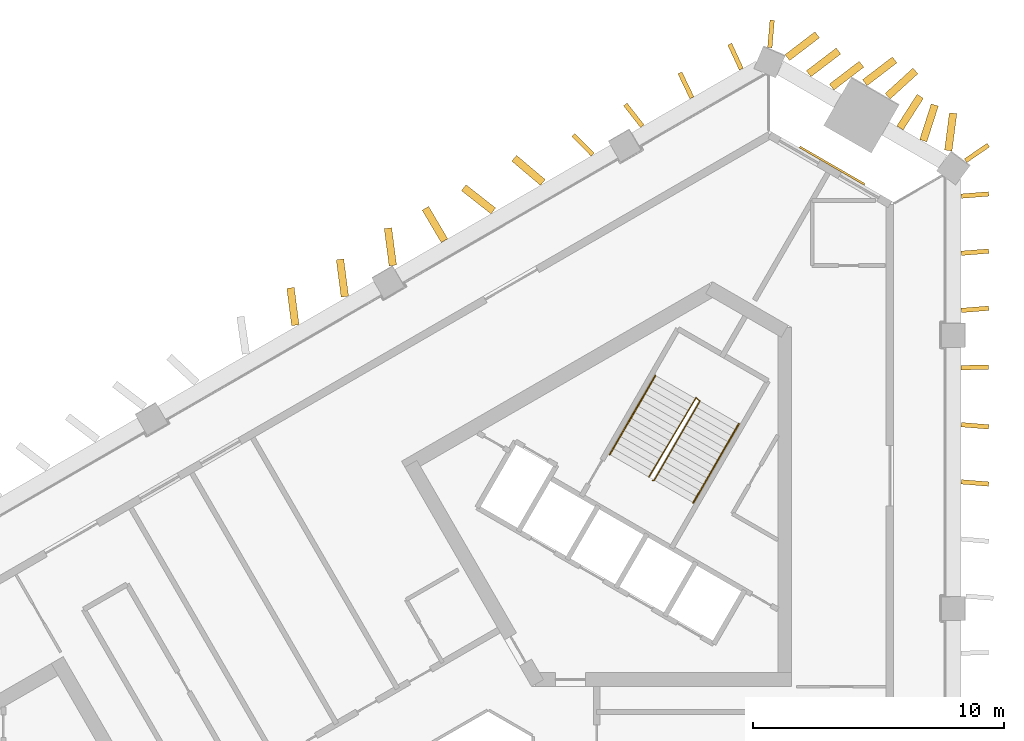
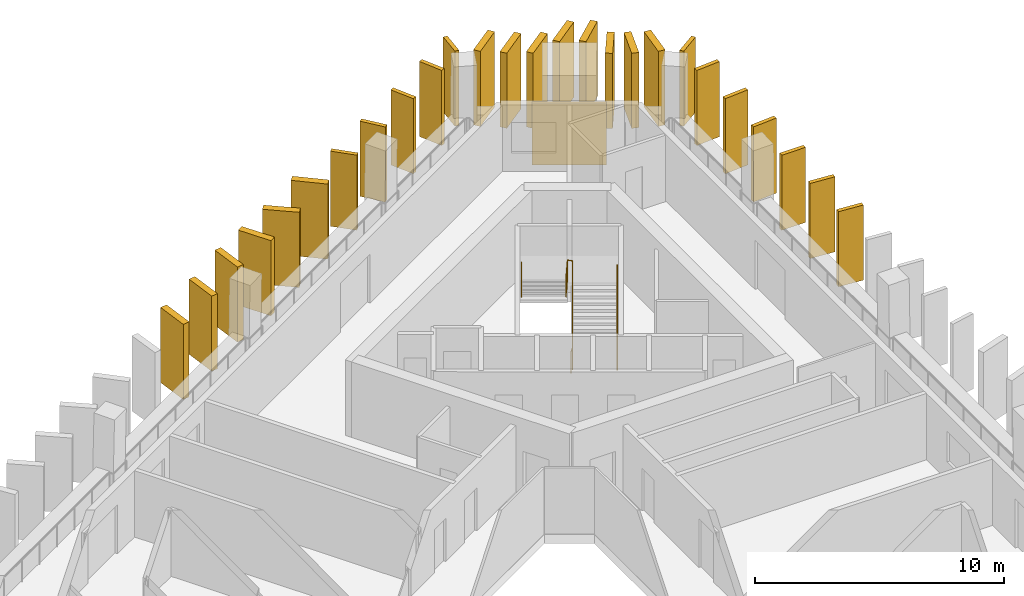
# One storey, part 10 of 10: 26 shading devices, 3 railings, 1 covering.
"""IFC4 building model written with IfcOpenShell, lengths in metres."""

from ifc_helpers import new_model, si_unit, direction, frame, frame_2d, origin, origin_2d, place, context, subcontext, project, spatial, rectangle, circle, extrude, material, layer, layer_set, type_object, element, save


model = new_model("IFC4")

# Units and contexts
model_context = context("Model", 3, precision=1e-05, world=origin(), true_north=direction((0.0, 1.0)))
body_context = subcontext(model_context, "Body", "Model", "MODEL_VIEW")
ifc_project = project(units=[si_unit("LENGTHUNIT", "METRE"), si_unit("AREAUNIT", "SQUARE_METRE"), si_unit("VOLUMEUNIT", "CUBIC_METRE"), si_unit("PLANEANGLEUNIT", "RADIAN"), si_unit("MASSUNIT", "GRAM", prefix="KILO")], contexts=[model_context])

# Site, building, storey
site_placement = place(None, origin())
site = spatial("IfcSite", under=ifc_project, at=site_placement, CompositionType="ELEMENT")
building_placement = place(site_placement, origin())
building = spatial("IfcBuilding", under=site, at=building_placement, Name="Jabali Bay Hotel Tower and Convention Centre", CompositionType="ELEMENT")
storey_placement = place(building_placement, frame((0.0, 0.0, 163.699951171875)))
storey = spatial("IfcBuildingStorey", under=building, at=storey_placement, Name="L39", CompositionType="ELEMENT", Elevation=163.699951171875)

# Shading devices
ifc_material_1 = material(Name="Precast concrete C60", Category="concrete")
ifc_layer_1 = layer(ifc_material_1, 0.179931640625)
ifc_layer_set_1 = layer_set([ifc_layer_1], Name="Precast concrete C60")
shading_device_type_1 = type_object("IfcShadingDeviceType", Name="Precast fin 3680 x 1100", PredefinedType="USERDEFINED", material=ifc_layer_set_1)
shading_device_1_placement = place(storey_placement, frame((96.650390625, 95.962646484375, 0.010009765625), z_axis=(0.0, 0.0, 1.0), x_axis=(0.996641506846, -0.081888380322, 0.0)))
element("IfcShadingDevice", 1, at=shading_device_1_placement, inside=storey, type_object=shading_device_type_1, Name="Fin L39 019", ObjectType="FIN", PredefinedType="USERDEFINED", context=body_context, shape_type="SweptSolid", body=[
    extrude(rectangle(XDim=1.10009765625, YDim=0.179931640625, at=frame_2d((0.550048828125, 0.0))), origin(), (0.0, 0.0, 1.0), 3.679931640625),
])
for number, where, z_axis, x_axis, name in (
    (2, (96.650390625, 98.242919921875, 0.010009765625), (0.0, 0.0, 1.0), (0.99678486003, -0.08012454564, 0.0), "Fin L39 020"),
    (3, (96.643798828125, 100.523193359375, 0.010009765625), (0.0, 0.0, 1.0), (0.999983346088, 0.005771269034, 0.0), "Fin L39 021"),
    (4, (96.650390625, 102.8037109375, 0.010009765625), (0.0, 0.0, 1.0), (0.996855381072, 0.079242344922, 0.0), "Fin L39 022"),
    (5, (96.650390625, 105.083984375, 0.010009765625), (0.0, 0.0, 1.0), (0.996855381072, 0.079242344922, 0.0), "Fin L39 023"),
    (6, (96.650390625, 107.3642578125, 0.010009765625), (0.0, 0.0, 1.0), (0.996837823076, 0.079462912639, 0.0), "Fin L39 024"),
):
    element("IfcShadingDevice", number, at=place(storey_placement, frame(where, z_axis=z_axis, x_axis=x_axis)), inside=storey, type_object=shading_device_type_1, Name=name, ObjectType="FIN", PredefinedType="USERDEFINED", context=body_context, shape_type="SweptSolid", body=[
        extrude(rectangle(XDim=1.099853515625, YDim=0.179931640625, at=frame_2d((0.5498046875, 0.0))), origin(), (0.0, 0.0, 1.0), 3.679931640625),
    ])
shading_device_2_placement = place(storey_placement, frame((87.87255859375, 112.4326171875, 0.010009765625), z_axis=(0.0, 0.0, 1.0), x_axis=(-0.421013493597, 0.90705437445, 0.0)))
element("IfcShadingDevice", 7, at=shading_device_2_placement, inside=storey, type_object=shading_device_type_1, Name="Fin L39 033", ObjectType="FIN", PredefinedType="USERDEFINED", context=body_context, shape_type="SweptSolid", body=[
    extrude(rectangle(XDim=1.10009765625, YDim=0.179931640625, at=frame_2d((0.550048828125, 0.0))), origin(), (0.0, 0.0, 1.0), 3.679931640625),
])
shading_device_3_placement = place(storey_placement, frame((85.8984375, 111.29150390625, 0.010009765625), z_axis=(0.0, 0.0, 1.0), x_axis=(-0.43286096035, 0.901460697427, 0.0)))
element("IfcShadingDevice", 8, at=shading_device_3_placement, inside=storey, type_object=shading_device_type_1, Name="Fin L39 034", ObjectType="FIN", PredefinedType="USERDEFINED", context=body_context, shape_type="SweptSolid", body=[
    extrude(rectangle(XDim=1.099853515625, YDim=0.179931640625, at=frame_2d((0.5498046875, 0.0))), origin(), (0.0, 0.0, 1.0), 3.679931640625),
])
for number, where, z_axis, x_axis, name in (
    (9, (83.920654296875, 110.15625, 0.010009765625), (0.0, 0.0, 1.0), (-0.615230486111, 0.788347289562, 0.0), "Fin L39 035"),
    (10, (81.940673828125, 109.025146484375, 0.010009765625), (0.0, 0.0, 1.0), (-0.705329022705, 0.708880081347, 0.0), "Fin L39 036"),
    (11, (96.824951171875, 108.7783203125, 0.010009765625), (0.0, 0.0, 1.0), (0.823555981078, 0.56723500071, 0.0), "Fin L39 100"),
    (12, (89.01025390625, 113.28955078125, 0.010009765625), (0.0, 0.0, 1.0), (0.084992018949, 0.996381632064, 0.0), "Fin L39 101"),
):
    element("IfcShadingDevice", number, at=place(storey_placement, frame(where, z_axis=z_axis, x_axis=x_axis)), inside=storey, type_object=shading_device_type_1, Name=name, ObjectType="FIN", PredefinedType="USERDEFINED", context=body_context, shape_type="SweptSolid", body=[
        extrude(rectangle(XDim=1.10009765625, YDim=0.179931640625, at=frame_2d((0.550048828125, 0.0))), origin(), (0.0, 0.0, 1.0), 3.679931640625),
    ])
ifc_layer_2 = layer(ifc_material_1, 0.300048828125)
ifc_layer_set_2 = layer_set([ifc_layer_2], Name="Precast concrete C60")
shading_device_type_2 = type_object("IfcShadingDeviceType", Name="Precast fin 3680 x 1500", PredefinedType="USERDEFINED", material=ifc_layer_set_2)
for number, where, z_axis, x_axis, name in (
    (13, (96.132080078125, 109.185302734375, 0.010009765625), (0.0, 0.0, 1.0), (0.128580707026, 0.991699047988, 0.0), "Fin L39 025"),
    (14, (95.133544921875, 109.574951171875, 0.010009765625), (0.0, 0.0, 1.0), (0.306151427294, 0.951982827348, 0.0), "Fin L39 026"),
    (15, (94.203857421875, 110.083251953125, 0.010009765625), (0.0, 0.0, 1.0), (0.539737105533, 0.84183362781, 0.0), "Fin L39 027"),
    (16, (93.711669921875, 111.35009765625, 0.010009765625), (0.0, 0.0, 1.0), (0.738908176422, 0.673806134446, 0.0), "Fin L39 028"),
    (17, (92.80029296875, 111.890380859375, 0.010009765625), (0.0, 0.0, 1.0), (0.794477939917, 0.607293012462, 0.0), "Fin L39 029"),
    (18, (91.476318359375, 111.716552734375, 0.010009765625), (0.0, 0.0, 1.0), (0.794616478363, 0.607111729679, 0.0), "Fin L39 030"),
    (19, (90.558837890625, 112.246337890625, 0.010009765625), (0.0, 0.0, 1.0), (0.794616478363, 0.607111729679, 0.0), "Fin L39 031"),
):
    element("IfcShadingDevice", number, at=place(storey_placement, frame(where, z_axis=z_axis, x_axis=x_axis)), inside=storey, type_object=shading_device_type_2, Name=name, ObjectType="FIN", PredefinedType="USERDEFINED", context=body_context, shape_type="SweptSolid", body=[
        extrude(rectangle(XDim=1.5, YDim=0.300048828125, at=frame_2d((0.75, 0.0))), origin(), (0.0, 0.0, 1.0), 3.679931640625),
    ])
shading_device_4_placement = place(storey_placement, frame((89.709228515625, 112.8935546875, 0.010009765625), z_axis=(0.0, 0.0, 1.0), x_axis=(0.794556474212, 0.6071902579, 0.0)))
element("IfcShadingDevice", 20, at=shading_device_4_placement, inside=storey, type_object=shading_device_type_2, Name="Fin L39 032", ObjectType="FIN", PredefinedType="USERDEFINED", context=body_context, shape_type="SweptSolid", body=[
    extrude(rectangle(XDim=1.499755859375, YDim=0.300048828125, at=frame_2d((0.75, 0.0))), origin(), (0.0, 0.0, 1.0), 3.679931640625),
])
for number, where, z_axis, x_axis, name in (
    (21, (79.951904296875, 107.908935546875, 0.010009765625), (0.0, 0.0, 1.0), (-0.763935421379, 0.645292702549, 0.0), "Fin L39 037"),
    (22, (77.974365234375, 106.773193359375, 0.010009765625), (0.0, 0.0, 1.0), (-0.786521634761, 0.617562723983, 0.0), "Fin L39 038"),
):
    element("IfcShadingDevice", number, at=place(storey_placement, frame(where, z_axis=z_axis, x_axis=x_axis)), inside=storey, type_object=shading_device_type_2, Name=name, ObjectType="FIN", PredefinedType="USERDEFINED", context=body_context, shape_type="SweptSolid", body=[
        extrude(rectangle(XDim=1.5, YDim=0.300048828125, at=frame_2d((0.75, 0.0))), origin(), (0.0, 0.0, 1.0), 3.679931640625),
    ])
shading_device_5_placement = place(storey_placement, frame((76.02685546875, 105.5859375, 0.010009765625), z_axis=(0.0, 0.0, 1.0), x_axis=(-0.508186292344, 0.861247172578, 0.0)))
element("IfcShadingDevice", 23, at=shading_device_5_placement, inside=storey, type_object=shading_device_type_2, Name="Fin L39 039", ObjectType="FIN", PredefinedType="USERDEFINED", context=body_context, shape_type="SweptSolid", body=[
    extrude(rectangle(XDim=1.499755859375, YDim=0.300048828125, at=frame_2d((0.75, 0.0))), origin(), (0.0, 0.0, 1.0), 3.679931640625),
])
shading_device_6_placement = place(storey_placement, frame((73.964111328125, 104.597900390625, 0.010009765625), z_axis=(0.0, 0.0, 1.0), x_axis=(-0.129401810765, 0.991592240475, 0.0)))
element("IfcShadingDevice", 24, at=shading_device_6_placement, inside=storey, type_object=shading_device_type_2, Name="Fin L39 040", ObjectType="FIN", PredefinedType="USERDEFINED", context=body_context, shape_type="SweptSolid", body=[
    extrude(rectangle(XDim=1.5, YDim=0.300048828125, at=frame_2d((0.75, 0.0))), origin(), (0.0, 0.0, 1.0), 3.679931640625),
])
for number, where, z_axis, x_axis, name in (
    (25, (72.049072265625, 103.354248046875, 0.010009765625), (0.0, 0.0, 1.0), (-0.128921633235, 0.991654784935, 0.0), "Fin L39 041"),
    (26, (70.07421875, 102.214111328125, 0.010009765625), (0.0, 0.0, 1.0), (-0.128761553887, 0.991675583162, 0.0), "Fin L39 042"),
):
    element("IfcShadingDevice", number, at=place(storey_placement, frame(where, z_axis=z_axis, x_axis=x_axis)), inside=storey, type_object=shading_device_type_2, Name=name, ObjectType="FIN", PredefinedType="USERDEFINED", context=body_context, shape_type="SweptSolid", body=[
        extrude(rectangle(XDim=1.499755859375, YDim=0.300048828125, at=frame_2d((0.75, 0.0))), origin(), (0.0, 0.0, 1.0), 3.679931640625),
    ])

# Covering
ifc_material_2 = material(Name="Precast concrete C40/50", Category="concrete")
ifc_layer_3 = layer(ifc_material_2, 0.080078125)
ifc_layer_set_3 = layer_set([ifc_layer_3], Name="Precast concrete C40/50")
covering_type = type_object("IfcCoveringType", Name="Relief panel 3000 x 3050", PredefinedType="CLADDING", material=ifc_layer_set_3)
covering_placement = place(storey_placement, frame((91.50048828125, 108.579833984375, 0.10009765625), z_axis=(0.0, 0.0, 1.0), x_axis=(0.866025364096, -0.500000068743, 0.0)))
element("IfcCovering", 27, at=covering_placement, inside=storey, type_object=covering_type, Name="Relief panel L39", PredefinedType="CLADDING", context=body_context, shape_type="SweptSolid", body=[
    extrude(rectangle(XDim=3.0, YDim=0.080078125, at=origin_2d()), origin(), (0.0, 0.0, 1.0), 3.050048828125),
])

# Railings
ifc_material_3 = material(Name="Steel Q355B", Category="steel")
railing_type_1 = type_object("IfcRailingType", Name="Stair guard 1100", PredefinedType="GUARDRAIL", material=ifc_material_3)
railing_1_placement = place(storey_placement, frame((84.329833984375, 96.010009765625, 0.0)))
element("IfcRailing", 28, at=railing_1_placement, inside=storey, type_object=railing_type_1, Name="L39 ST2 stair guard 1", PredefinedType="GUARDRAIL", context=body_context, shape_type="SweptSolid", body=[
    extrude(circle(Radius=0.02392578125, at=origin_2d()), frame((0.0, 0.0, 1.076171875), z_axis=(0.456201556387, 0.122196845461, 0.881446578591), x_axis=(-0.258736085224, 0.965948051503, 0.0)), (0.0, 0.0, 1.0), 0.14990234375),
    extrude(circle(Radius=0.02392578125, at=origin_2d()), frame((0.068359375, 0.018310546875, 1.2080078125), z_axis=(0.45217862506, 0.783169739339, 0.426825081763), x_axis=(-0.866018046521, 0.500012742938, 0.0)), (0.0, 0.0, 1.0), 4.025146484375),
    extrude(circle(Radius=0.02392578125, at=origin_2d()), frame((1.888427734375, 3.170654296875, 2.92626953125), z_axis=(-0.718850276695, 0.695164929852, 0.0), x_axis=(-0.695164929852, -0.718850276695, 0.0)), (0.0, 0.0, 1.0), 0.2060546875),
    extrude(circle(Radius=0.02392578125, at=origin_2d()), frame((1.740234375, 3.31396484375, 2.92626953125), z_axis=(-0.457457462341, -0.768067235091, 0.448113147015), x_axis=(0.859157857954, -0.511710636118, 0.0)), (0.0, 0.0, 1.0), 4.128173828125),
    extrude(circle(Radius=0.02099609375, at=origin_2d()), origin(), (0.0, 0.0, 1.0), 1.052001953125),
    extrude(circle(Radius=0.02099609375, at=origin_2d()), frame((0.068359375, 0.018310546875, 0.132080078125)), (0.0, 0.0, 1.0), 1.052001953125),
    extrude(circle(Radius=0.02099609375, at=origin_2d()), frame((0.5234375, 0.806396484375, 0.5615234375)), (0.0, 0.0, 1.0), 1.052001953125),
    extrude(circle(Radius=0.02099609375, at=origin_2d()), frame((0.978515625, 1.594482421875, 0.9912109375)), (0.0, 0.0, 1.0), 1.052001953125),
    extrude(circle(Radius=0.02099609375, at=origin_2d()), frame((1.433349609375, 2.382568359375, 1.420654296875)), (0.0, 0.0, 1.0), 1.052001953125),
    extrude(circle(Radius=0.02099609375, at=origin_2d()), frame((1.888427734375, 3.170654296875, 1.85009765625)), (0.0, 0.0, 1.0), 1.052001953125),
    extrude(circle(Radius=0.02099609375, at=origin_2d()), frame((1.740234375, 3.31396484375, 1.85009765625)), (0.0, 0.0, 1.0), 1.052001953125),
    extrude(circle(Radius=0.02099609375, at=origin_2d()), frame((1.26806640625, 2.521240234375, 2.3125)), (0.0, 0.0, 1.0), 1.052001953125),
    extrude(circle(Radius=0.02099609375, at=origin_2d()), frame((0.7958984375, 1.728515625, 2.77490234375)), (0.0, 0.0, 1.0), 1.052001953125),
    extrude(circle(Radius=0.02099609375, at=origin_2d()), frame((0.323974609375, 0.93603515625, 3.237548828125)), (0.0, 0.0, 1.0), 1.052001953125),
    extrude(circle(Radius=0.02099609375, at=origin_2d()), frame((-0.148193359375, 0.143310546875, 3.699951171875)), (0.0, 0.0, 1.0), 1.052001953125),
])
railing_type_2 = type_object("IfcRailingType", Name="Stair handrail 900", PredefinedType="HANDRAIL", material=ifc_material_3)
railing_2_placement = place(storey_placement, frame((85.95703125, 95.128173828125, 0.132080078125)))
element("IfcRailing", 29, at=railing_2_placement, inside=storey, type_object=railing_type_2, Name="L39 ST2 stair handrail 1", PredefinedType="HANDRAIL", context=body_context, shape_type="SweptSolid", body=[
    extrude(circle(Radius=0.02392578125, at=origin_2d()), frame((0.0, 0.0, 0.8759765625), z_axis=(0.45217862506, 0.783169739339, 0.426825081763), x_axis=(-0.866018046521, 0.500012742938, 0.0)), (0.0, 0.0, 1.0), 4.025146484375),
    extrude(circle(Radius=0.02099609375, at=origin_2d()), origin(), (0.0, 0.0, 1.0), 0.851806640625),
    extrude(circle(Radius=0.02099609375, at=origin_2d()), frame((0.455078125, 0.7880859375, 0.429443359375)), (0.0, 0.0, 1.0), 0.851806640625),
    extrude(circle(Radius=0.02099609375, at=origin_2d()), frame((0.91015625, 1.576171875, 0.85888671875)), (0.0, 0.0, 1.0), 0.851806640625),
    extrude(circle(Radius=0.02099609375, at=origin_2d()), frame((1.364990234375, 2.3642578125, 1.28857421875)), (0.0, 0.0, 1.0), 0.851806640625),
    extrude(circle(Radius=0.02099609375, at=origin_2d()), frame((1.820068359375, 3.15234375, 1.718017578125)), (0.0, 0.0, 1.0), 0.851806640625),
])
railing_3_placement = place(storey_placement, frame((84.44287109375, 100.20556640625, 1.982177734375)))
element("IfcRailing", 30, at=railing_3_placement, inside=storey, type_object=railing_type_2, Name="L39 ST2 stair handrail 2", PredefinedType="HANDRAIL", context=body_context, shape_type="SweptSolid", body=[
    extrude(circle(Radius=0.02392578125, at=origin_2d()), frame((0.0, 0.0, 0.8759765625), z_axis=(-0.452190331055, -0.783190014029, 0.426775475427), x_axis=(0.866018046521, -0.500012742938, 0.0)), (0.0, 0.0, 1.0), 4.02490234375),
    extrude(circle(Radius=0.02099609375, at=origin_2d()), origin(), (0.0, 0.0, 1.0), 0.851806640625),
    extrude(circle(Radius=0.02099609375, at=origin_2d()), frame((-0.455078125, -0.7880859375, 0.429443359375)), (0.0, 0.0, 1.0), 0.851806640625),
    extrude(circle(Radius=0.02099609375, at=origin_2d()), frame((-0.91015625, -1.576171875, 0.85888671875)), (0.0, 0.0, 1.0), 0.851806640625),
    extrude(circle(Radius=0.02099609375, at=origin_2d()), frame((-1.364990234375, -2.3642578125, 1.288330078125)), (0.0, 0.0, 1.0), 0.851806640625),
    extrude(circle(Radius=0.02099609375, at=origin_2d()), frame((-1.820068359375, -3.15234375, 1.7177734375)), (0.0, 0.0, 1.0), 0.851806640625),
])

save(model, "model.ifc")
